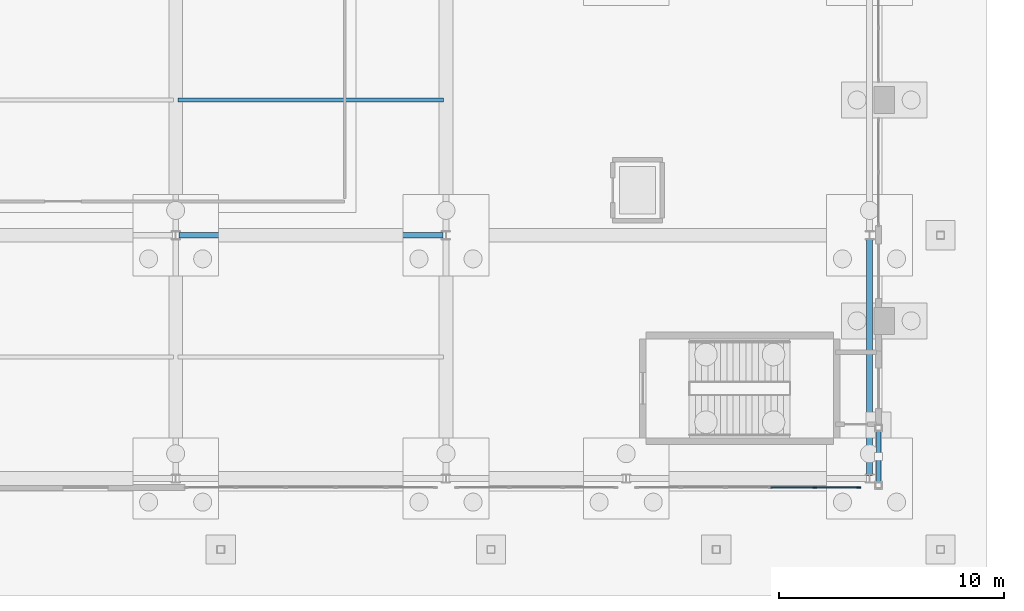
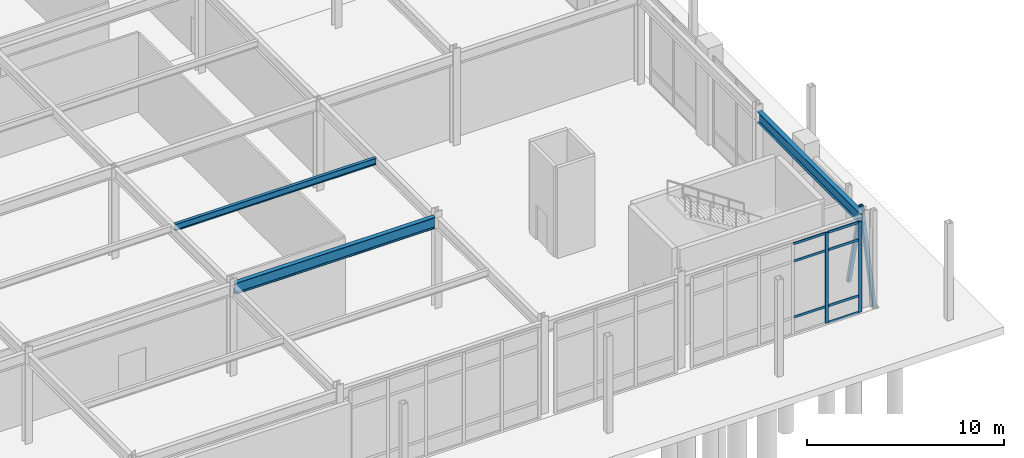
# One storey, part 60 of 143: 11 members, 3 beams, 1 element without a shape of its own.
"""IFC4 building model written with IfcOpenShell, lengths in metres."""

from ifc_helpers import new_model, si_unit, derived_unit, direction, frame, origin, origin_2d, place, context, subcontext, project, spatial, rectangle, hollow_rectangle, i_section, extrude, material, layer, layer_set, material_profile, profile_set, type_object, element, aggregate, save


model = new_model("IFC4")

# Units and contexts
model_context = context("Model", 3, precision=1e-05, world=origin(), true_north=direction((0.0, 1.0)))
body_context = subcontext(model_context, "Body", "Model", "MODEL_VIEW")
ifc_project = project(units=[si_unit("LENGTHUNIT", "METRE"), si_unit("AREAUNIT", "SQUARE_METRE"), si_unit("VOLUMEUNIT", "CUBIC_METRE"), si_unit("PLANEANGLEUNIT", "RADIAN"), si_unit("MASSUNIT", "GRAM", prefix="KILO"), derived_unit("THERMALTRANSMITTANCEUNIT", [(si_unit("MASSUNIT", "GRAM", prefix="KILO"), 1), (si_unit("TIMEUNIT", "SECOND"), -3), (si_unit("THERMODYNAMICTEMPERATUREUNIT", "KELVIN"), -1)])], contexts=[model_context])

# Site, building, storey
site_placement = place(None, origin())
site = spatial("IfcSite", under=ifc_project, at=site_placement, CompositionType="ELEMENT")
building_placement = place(site_placement, origin())
building = spatial("IfcBuilding", under=site, at=building_placement, Name="Valcora Ridge Arena", CompositionType="ELEMENT")
storey_placement = place(building_placement, origin())
storey = spatial("IfcBuildingStorey", under=building, at=storey_placement, Name="L00", CompositionType="ELEMENT", Elevation=0.0)

# Beams
ifc_material_1 = material(Name="Steel ASTM A572 Grade 50", Category="steel")
ifc_material_profile_1 = material_profile(ifc_material_1, i_section(OverallWidth=0.256103515625, OverallDepth=0.693115234375, WebThickness=0.014404296875, FlangeThickness=0.023681640625, FilletRadius=0.02001953125, at=origin_2d()), Name="W27X114")
ifc_profile_set_1 = profile_set([ifc_material_profile_1], Name="Steel ASTM A572 Grade 50")
beam_type_1 = type_object("IfcBeamType", Name="TY-BEAM-G-W27X114-X", PredefinedType="BEAM", material=ifc_profile_set_1)
beam_1_placement = place(storey_placement, frame((156.139892578125, 16.0, 5.2734375), z_axis=(1.0, 0.0, 0.0), x_axis=(0.0, 1.0, 0.0)))
element("IfcBeam", 1, at=beam_1_placement, inside=storey, type_object=beam_type_1, Name="G-W27X114-X BEM-G-W27X114-X-0003", PredefinedType="BEAM", context=body_context, shape_type="SweptSolid", body=[
    extrude(i_section(OverallWidth=0.256103515625, OverallDepth=0.693115234375, WebThickness=0.014404296875, FlangeThickness=0.023681640625, FilletRadius=0.02001953125, at=origin_2d()), origin(), (0.0, 0.0, 1.0), 11.72021484375),
])
ifc_material_profile_2 = material_profile(ifc_material_1, i_section(OverallWidth=0.256103515625, OverallDepth=0.693115234375, WebThickness=0.014404296875, FlangeThickness=0.023681640625, FilletRadius=0.02001953125, at=origin_2d()), Name="W27X114")
ifc_profile_set_2 = profile_set([ifc_material_profile_2], Name="Steel ASTM A572 Grade 50")
beam_type_2 = type_object("IfcBeamType", Name="TY-BEAM-G-W27X114-Y", PredefinedType="BEAM", material=ifc_profile_set_2)
beam_2_placement = place(storey_placement, frame((186.800048828125, 5.340087890625, 5.2734375), z_axis=(0.0, 1.0, 0.0), x_axis=(-1.0, 0.0, 0.0)))
element("IfcBeam", 2, at=beam_2_placement, inside=storey, type_object=beam_type_2, Name="G-W27X114-Y BEM-G-W27X114-Y-0028", PredefinedType="BEAM", context=body_context, shape_type="SweptSolid", body=[
    extrude(i_section(OverallWidth=0.256103515625, OverallDepth=0.693115234375, WebThickness=0.014404296875, FlangeThickness=0.023681640625, FilletRadius=0.02001953125, at=origin_2d()), origin(), (0.0, 0.0, 1.0), 10.52001953125),
])
ifc_material_profile_3 = material_profile(ifc_material_1, i_section(OverallWidth=0.177978515625, OverallDepth=0.406005859375, WebThickness=0.0078125, FlangeThickness=0.0126953125, FilletRadius=0.013916015625, at=origin_2d()), Name="W16X40")
ifc_profile_set_3 = profile_set([ifc_material_profile_3], Name="Steel ASTM A572 Grade 50")
beam_type_3 = type_object("IfcBeamType", Name="TY-BEAM-J-W16X40", PredefinedType="JOIST", material=ifc_profile_set_3)
beam_3_placement = place(storey_placement, frame((156.10009765625, 22.0, 5.4169921875), z_axis=(1.0, 0.0, 0.0), x_axis=(0.0, 1.0, 0.0)))
element("IfcBeam", 3, at=beam_3_placement, inside=storey, type_object=beam_type_3, Name="J-W16X40 BEM-J-W16X40-0007", PredefinedType="JOIST", context=body_context, shape_type="SweptSolid", body=[
    extrude(i_section(OverallWidth=0.177978515625, OverallDepth=0.406005859375, WebThickness=0.0078125, FlangeThickness=0.0126953125, FilletRadius=0.013916015625, at=origin_2d()), origin(), (0.0, 0.0, 1.0), 11.7998046875),
])

# Curtain wall, members
ifc_material_2 = material(Name="Anodised dark bronze architectural aluminium 6063-T6", Category="aluminium")
ifc_layer = layer(ifc_material_2, 0.179931640625, Name="Anodised dark bronze architectural aluminium 6063-T6")
ifc_layer_set = layer_set([ifc_layer], Name="Anodised dark bronze architectural aluminium 6063-T6")
curtain_wall_type = type_object("IfcCurtainWallType", Name="TY-CURTAINWALL-CW-V2-GLAZ-099X56", PredefinedType="NOTDEFINED", material=ifc_layer_set)
curtain_wall_placement = place(storey_placement, origin())
curtain_wall = element("IfcCurtainWall", 4, at=curtain_wall_placement, inside=storey, type_object=curtain_wall_type, Name="CW-V2-GLAZ-099X56 CW-0027", PredefinedType="NOTDEFINED")
ifc_material_profile_4 = material_profile(ifc_material_2, rectangle(XDim=0.06005859375, YDim=0.179931640625, at=origin_2d()), Name="ALU MULLION 60x180")
ifc_profile_set_4 = profile_set([ifc_material_profile_4], Name="Anodised dark bronze architectural aluminium 6063-T6")
member_type_1 = type_object("IfcMemberType", Name="TY-MEM-CWM-60x180", PredefinedType="MULLION", material=ifc_profile_set_4)
member_1_placement = place(storey_placement, frame((184.376220703125, 4.800048828125, 0.0), z_axis=(0.0, 0.0, 1.0), x_axis=(0.0, 1.0, 0.0)))
member_1 = element("IfcMember", 5, at=member_1_placement, type_object=member_type_1, Name="CW-0027/CWM-60x180/M04", PredefinedType="MULLION", context=body_context, shape_type="SweptSolid", body=[
    extrude(rectangle(XDim=0.06005859375, YDim=0.179931640625, at=origin_2d()), origin(), (0.0, 0.0, 1.0), 5.6201171875),
])
member_2_placement = place(storey_placement, frame((186.33056640625, 4.800048828125, 0.0), z_axis=(0.0, 0.0, 1.0), x_axis=(0.0, 1.0, 0.0)))
member_2 = element("IfcMember", 6, at=member_2_placement, type_object=member_type_1, Name="CW-0027/CWM-60x180/M05", PredefinedType="MULLION", context=body_context, shape_type="SweptSolid", body=[
    extrude(rectangle(XDim=0.06005859375, YDim=0.179931640625, at=origin_2d()), origin(), (0.0, 0.0, 1.0), 5.6201171875),
])
ifc_material_profile_5 = material_profile(ifc_material_2, rectangle(XDim=0.050048828125, YDim=0.14990234375, at=origin_2d()), Name="ALU TRANSOM 50x150")
ifc_profile_set_5 = profile_set([ifc_material_profile_5], Name="Anodised dark bronze architectural aluminium 6063-T6")
member_type_2 = type_object("IfcMemberType", Name="TY-MEM-CWT-50x150", PredefinedType="USERDEFINED", material=ifc_profile_set_5)
member_3_placement = place(storey_placement, frame((182.422607421875, 4.800048828125, 1.050048828125), z_axis=(1.0, 0.0, 0.0), x_axis=(0.0, 1.0, 0.0)))
member_3 = element("IfcMember", 7, at=member_3_placement, type_object=member_type_2, Name="CW-0027/CWT-50x150/T03-01", ObjectType="TRANSOM", PredefinedType="USERDEFINED", context=body_context, shape_type="SweptSolid", body=[
    extrude(rectangle(XDim=0.050048828125, YDim=0.14990234375, at=origin_2d()), origin(), (0.0, 0.0, 1.0), 1.923828125),
])
member_4_placement = place(storey_placement, frame((182.422607421875, 4.800048828125, 4.52001953125), z_axis=(1.0, 0.0, 0.0), x_axis=(0.0, 1.0, 0.0)))
member_4 = element("IfcMember", 8, at=member_4_placement, type_object=member_type_2, Name="CW-0027/CWT-50x150/T03-02", ObjectType="TRANSOM", PredefinedType="USERDEFINED", context=body_context, shape_type="SweptSolid", body=[
    extrude(rectangle(XDim=0.050048828125, YDim=0.14990234375, at=origin_2d()), origin(), (0.0, 0.0, 1.0), 1.923828125),
])
member_5_placement = place(storey_placement, frame((182.422607421875, 4.800048828125, 5.594970703125), z_axis=(1.0, 0.0, 0.0), x_axis=(0.0, 1.0, 0.0)))
member_5 = element("IfcMember", 9, at=member_5_placement, type_object=member_type_2, Name="CW-0027/CWT-50x150/T03-03", ObjectType="TRANSOM", PredefinedType="USERDEFINED", context=body_context, shape_type="SweptSolid", body=[
    extrude(rectangle(XDim=0.050048828125, YDim=0.14990234375, at=origin_2d()), origin(), (0.0, 0.0, 1.0), 1.923828125),
])
member_6_placement = place(storey_placement, frame((184.406494140625, 4.800048828125, 0.02490234375), z_axis=(1.0, 0.0, 0.0), x_axis=(0.0, 1.0, 0.0)))
member_6 = element("IfcMember", 10, at=member_6_placement, type_object=member_type_2, Name="CW-0027/CWT-50x150/T04-00", ObjectType="TRANSOM", PredefinedType="USERDEFINED", context=body_context, shape_type="SweptSolid", body=[
    extrude(rectangle(XDim=0.050048828125, YDim=0.14990234375, at=origin_2d()), origin(), (0.0, 0.0, 1.0), 1.89404296875),
])
member_7_placement = place(storey_placement, frame((184.406494140625, 4.800048828125, 1.050048828125), z_axis=(1.0, 0.0, 0.0), x_axis=(0.0, 1.0, 0.0)))
member_7 = element("IfcMember", 11, at=member_7_placement, type_object=member_type_2, Name="CW-0027/CWT-50x150/T04-01", ObjectType="TRANSOM", PredefinedType="USERDEFINED", context=body_context, shape_type="SweptSolid", body=[
    extrude(rectangle(XDim=0.050048828125, YDim=0.14990234375, at=origin_2d()), origin(), (0.0, 0.0, 1.0), 1.89404296875),
])
member_8_placement = place(storey_placement, frame((184.406494140625, 4.800048828125, 4.52001953125), z_axis=(1.0, 0.0, 0.0), x_axis=(0.0, 1.0, 0.0)))
member_8 = element("IfcMember", 12, at=member_8_placement, type_object=member_type_2, Name="CW-0027/CWT-50x150/T04-02", ObjectType="TRANSOM", PredefinedType="USERDEFINED", context=body_context, shape_type="SweptSolid", body=[
    extrude(rectangle(XDim=0.050048828125, YDim=0.14990234375, at=origin_2d()), origin(), (0.0, 0.0, 1.0), 1.89404296875),
])
member_9_placement = place(storey_placement, frame((184.406494140625, 4.800048828125, 5.594970703125), z_axis=(1.0, 0.0, 0.0), x_axis=(0.0, 1.0, 0.0)))
member_9 = element("IfcMember", 13, at=member_9_placement, type_object=member_type_2, Name="CW-0027/CWT-50x150/T04-03", ObjectType="TRANSOM", PredefinedType="USERDEFINED", context=body_context, shape_type="SweptSolid", body=[
    extrude(rectangle(XDim=0.050048828125, YDim=0.14990234375, at=origin_2d()), origin(), (0.0, 0.0, 1.0), 1.89404296875),
])
aggregate(curtain_wall, [member_1, member_2, member_3, member_4, member_5, member_6, member_7, member_8, member_9])

# Members
ifc_material_3 = material(Name="Steel ASTM A500 Grade C", Category="steel")
ifc_material_profile_6 = material_profile(ifc_material_3, hollow_rectangle(XDim=0.199951171875, YDim=0.199951171875, WallThickness=0.012451171875, at=origin_2d()), Name="HSS200X200X12")
ifc_profile_set_6 = profile_set([ifc_material_profile_6], Name="Steel ASTM A500 Grade C")
member_type_3 = type_object("IfcMemberType", Name="TY-MEMBER-CBF-200A", PredefinedType="BRACE", material=ifc_profile_set_6)
member_10_placement = place(storey_placement, frame((187.199951171875, 4.89990234375, 0.02001953125), z_axis=(0.0, 0.228218504351, 0.973609939489), x_axis=(-1.0, 0.0, 0.0)))
element("IfcMember", 14, at=member_10_placement, inside=storey, type_object=member_type_3, Name="CBF-200A Diagonal Brace", PredefinedType="BRACE", context=body_context, shape_type="SweptSolid", body=[
    extrude(hollow_rectangle(XDim=0.199951171875, YDim=0.199951171875, WallThickness=0.012451171875, at=origin_2d()), origin(), (0.0, 0.0, 1.0), 5.58740234375),
])
ifc_material_profile_7 = material_profile(ifc_material_3, hollow_rectangle(XDim=0.199951171875, YDim=0.199951171875, WallThickness=0.012451171875, at=origin_2d()), Name="HSS200X200X12")
ifc_profile_set_7 = profile_set([ifc_material_profile_7], Name="Steel ASTM A500 Grade C")
member_type_4 = type_object("IfcMemberType", Name="TY-MEMBER-CBF-200B", PredefinedType="BRACE", material=ifc_profile_set_7)
member_11_placement = place(storey_placement, frame((187.199951171875, 7.449951171875, 0.02001953125), z_axis=(0.0, -0.228177084615, 0.97361964753), x_axis=(1.0, 0.0, 0.0)))
element("IfcMember", 15, at=member_11_placement, inside=storey, type_object=member_type_4, Name="CBF-200B Diagonal Brace", PredefinedType="BRACE", context=body_context, shape_type="SweptSolid", body=[
    extrude(hollow_rectangle(XDim=0.199951171875, YDim=0.199951171875, WallThickness=0.012451171875, at=origin_2d()), origin(), (0.0, 0.0, 1.0), 5.58740234375),
])

save(model, "model.ifc")
